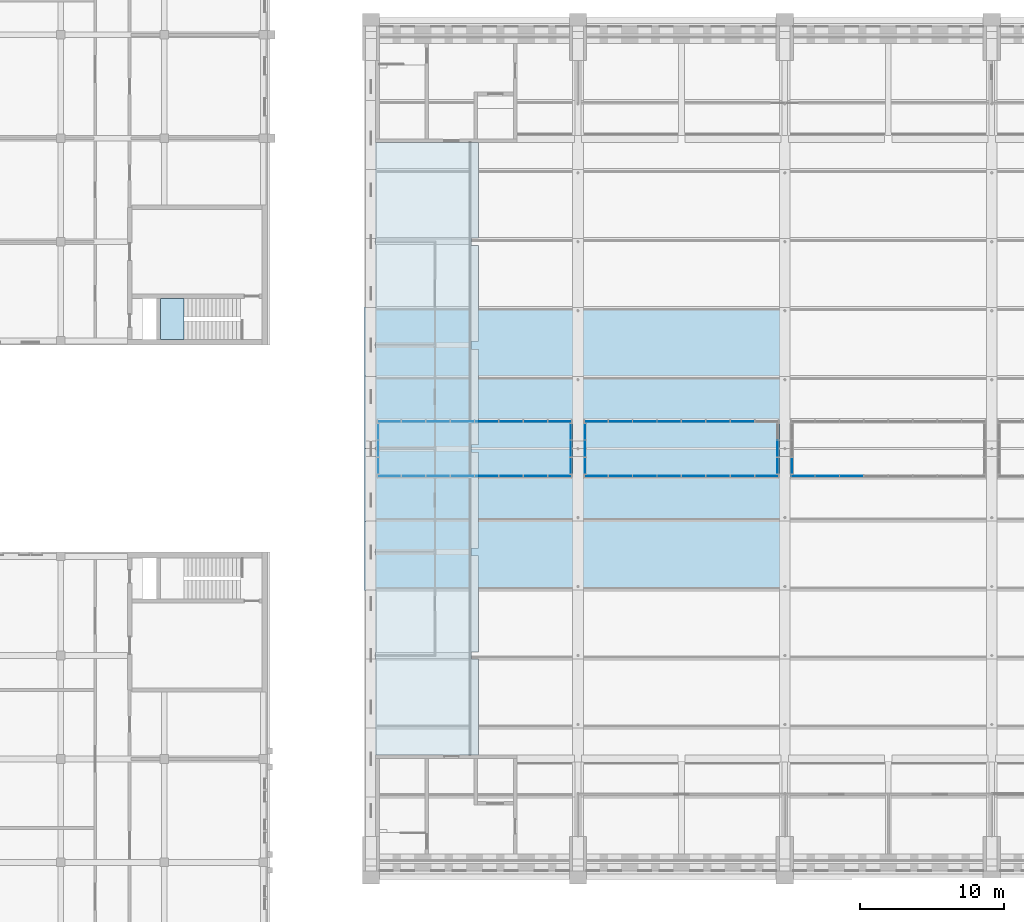
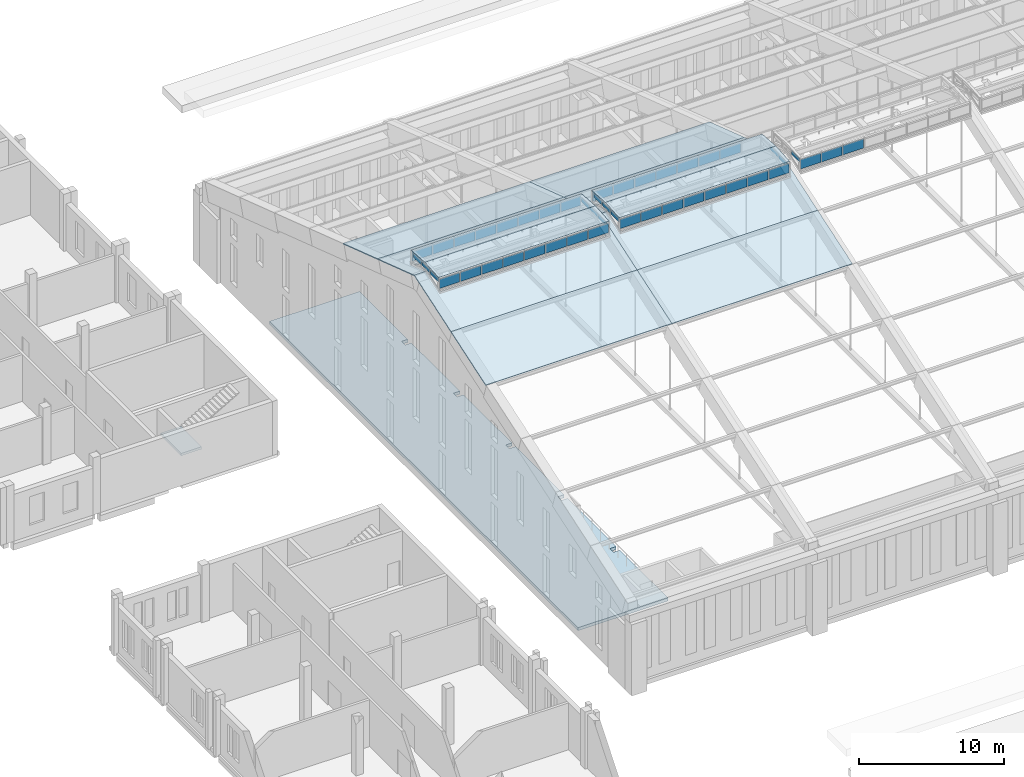
# One storey, part 111 of 149: 50 plates, 10 slabs, 11 elements without a shape of their own.
"""IFC4 building model written with IfcOpenShell, lengths in metres."""

from ifc_helpers import new_model, si_unit, direction, frame, origin, origin_2d, place, context, subcontext, project, spatial, polyline, rectangle, outline, extrude, material, layer, layer_set, type_object, element, aggregate, save


model = new_model("IFC4")

# Units and contexts
model_context = context("Model", 3, precision=1e-05, world=origin(), true_north=direction((0.0, 1.0)))
body_context = subcontext(model_context, "Body", "Model", "MODEL_VIEW")
ifc_project = project(units=[si_unit("LENGTHUNIT", "METRE"), si_unit("AREAUNIT", "SQUARE_METRE"), si_unit("VOLUMEUNIT", "CUBIC_METRE"), si_unit("PLANEANGLEUNIT", "RADIAN"), si_unit("MASSUNIT", "GRAM", prefix="KILO")], contexts=[model_context])

# Site, building, storey
site_placement = place(None, origin())
site = spatial("IfcSite", under=ifc_project, at=site_placement, CompositionType="ELEMENT")
building_placement = place(site_placement, origin())
building = spatial("IfcBuilding", under=site, at=building_placement, Name="Alderwick Market Hall", CompositionType="ELEMENT")
storey_placement = place(building_placement, frame((0.0, 0.0, 9.60009765625)))
storey = spatial("IfcBuildingStorey", under=building, at=storey_placement, Name="L01", CompositionType="ELEMENT", Elevation=9.60009765625)

# Stair, slab
ifc_material_1 = material(Name="Concrete 5000 psi (f'c 35 MPa)", Category="concrete")
stair_type = type_object("IfcStairType", Name="B Exit Stair 1300", PredefinedType="TWO_STRAIGHT_RUN_STAIR", material=ifc_material_1)
stair_placement = place(storey_placement, origin())
stair = element("IfcStair", 1, at=stair_placement, inside=storey, type_object=stair_type, Name="Stair N-2 L01", PredefinedType="TWO_STRAIGHT_RUN_STAIR")
ifc_layer_1 = layer(ifc_material_1, 0.199951171875)
ifc_layer_set_1 = layer_set([ifc_layer_1], Name="Concrete 5000 psi (f'c 35 MPa)")
slab_type_1 = type_object("IfcSlabType", Name="B Stair Landing 200", PredefinedType="LANDING", material=ifc_layer_set_1)
slab_1_placement = place(storey_placement, frame((0.0, 0.0, 2.199951171875)))
slab_1 = element("IfcSlab", 2, at=slab_1_placement, type_object=slab_type_1, Name="B-ST-N-2-L01 landing 1", PredefinedType="LANDING", context=body_context, shape_type="SweptSolid", body=[
    extrude(outline(polyline([(35.75, 86.800048828125), (37.3798828125, 86.800048828125), (37.3798828125, 89.64990234375), (35.75, 89.64990234375), (35.75, 86.800048828125)])), origin(), (0.0, 0.0, 1.0), 0.199951171875),
])
aggregate(stair, [slab_1])

# Slab
ifc_material_2 = material(Name="Concrete 4000 psi (f'c 28 MPa)", Category="concrete")
ifc_layer_2 = layer(ifc_material_2, 0.25)
ifc_layer_set_2 = layer_set([ifc_layer_2], Name="Concrete 4000 psi (f'c 28 MPa)")
slab_type_2 = type_object("IfcSlabType", Name="H Gallery slab 250", PredefinedType="FLOOR", material=ifc_layer_set_2)
slab_2_placement = place(storey_placement, frame((0.0, 0.0, -0.25)))
element("IfcSlab", 3, at=slab_2_placement, inside=storey, type_object=slab_type_2, Name="Gallery floor L01", PredefinedType="FLOOR", context=body_context, shape_type="SweptSolid", body=[
    extrude(outline(polyline([(57.889892578125, 93.85009765625), (57.389892578125, 93.85009765625), (57.389892578125, 93.35009765625), (57.889892578125, 93.35009765625), (57.889892578125, 86.64990234375), (57.389892578125, 86.64990234375), (57.389892578125, 86.14990234375), (57.889892578125, 86.14990234375), (57.889892578125, 79.449951171875), (57.389892578125, 79.449951171875), (57.389892578125, 78.949951171875), (57.889892578125, 78.949951171875), (57.889892578125, 72.25), (57.389892578125, 72.25), (57.389892578125, 71.75), (57.889892578125, 71.75), (57.889892578125, 65.050048828125), (57.389892578125, 65.050048828125), (57.389892578125, 64.550048828125), (57.889892578125, 64.550048828125), (57.889892578125, 57.889892578125), (50.699951171875, 57.889892578125), (50.699951171875, 100.510009765625), (57.889892578125, 100.510009765625), (57.889892578125, 93.85009765625)])), origin(), (0.0, 0.0, 1.0), 0.25),
])

# Curtain wall, plates
ifc_material_3 = material(Name="Aluminium", Category="aluminium")
curtain_wall_type = type_object("IfcCurtainWallType", Name="R Curtain Wall Frame", PredefinedType="NOTDEFINED", material=ifc_material_3)
curtain_wall_1_placement = place(storey_placement, origin())
curtain_wall_1 = element("IfcCurtainWall", 4, at=curtain_wall_1_placement, inside=storey, type_object=curtain_wall_type, Name="Curtain wall LCW S1", PredefinedType="NOTDEFINED")
ifc_material_4 = material(Name="Glass 8+8 mm PVB interlayer", Category="glass")
ifc_layer_3 = layer(ifc_material_4, 0.028076171875)
ifc_layer_set_3 = layer_set([ifc_layer_3], Name="Glass 8+8 mm PVB interlayer")
plate_type_1 = type_object("IfcPlateType", Name="R CW Panel IGU 28", PredefinedType="CURTAIN_PANEL", material=ifc_layer_set_3)
plate_1_placement = place(storey_placement, frame((51.6650390625, 77.300048828125, 16.7900390625), z_axis=(0.0, 0.0, 1.0), x_axis=(1.0, 0.0, 0.0)))
plate_1 = element("IfcPlate", 5, at=plate_1_placement, type_object=plate_type_1, Name="LCW S1 panel 1.1", PredefinedType="CURTAIN_PANEL", context=body_context, shape_type="SweptSolid", body=[
    extrude(rectangle(XDim=1.610107421875, YDim=0.028076171875, at=origin_2d()), origin(), (0.0, 0.0, 1.0), 0.789794921875),
])
plate_2_placement = place(storey_placement, frame((53.35009765625, 77.300048828125, 16.7900390625), z_axis=(0.0, 0.0, 1.0), x_axis=(1.0, 0.0, 0.0)))
plate_2 = element("IfcPlate", 6, at=plate_2_placement, type_object=plate_type_1, Name="LCW S1 panel 2.1", PredefinedType="CURTAIN_PANEL", context=body_context, shape_type="SweptSolid", body=[
    extrude(rectangle(XDim=1.639892578125, YDim=0.028076171875, at=origin_2d()), origin(), (0.0, 0.0, 1.0), 0.789794921875),
])
plate_3_placement = place(storey_placement, frame((55.050048828125, 77.300048828125, 16.7900390625), z_axis=(0.0, 0.0, 1.0), x_axis=(1.0, 0.0, 0.0)))
plate_3 = element("IfcPlate", 7, at=plate_3_placement, type_object=plate_type_1, Name="LCW S1 panel 3.1", PredefinedType="CURTAIN_PANEL", context=body_context, shape_type="SweptSolid", body=[
    extrude(rectangle(XDim=1.639892578125, YDim=0.028076171875, at=origin_2d()), origin(), (0.0, 0.0, 1.0), 0.789794921875),
])
plate_4_placement = place(storey_placement, frame((56.75, 77.300048828125, 16.7900390625), z_axis=(0.0, 0.0, 1.0), x_axis=(1.0, 0.0, 0.0)))
plate_4 = element("IfcPlate", 8, at=plate_4_placement, type_object=plate_type_1, Name="LCW S1 panel 4.1", PredefinedType="CURTAIN_PANEL", context=body_context, shape_type="SweptSolid", body=[
    extrude(rectangle(XDim=1.639892578125, YDim=0.028076171875, at=origin_2d()), origin(), (0.0, 0.0, 1.0), 0.789794921875),
])
plate_5_placement = place(storey_placement, frame((58.449951171875, 77.300048828125, 16.7900390625), z_axis=(0.0, 0.0, 1.0), x_axis=(1.0, 0.0, 0.0)))
plate_5 = element("IfcPlate", 9, at=plate_5_placement, type_object=plate_type_1, Name="LCW S1 panel 5.1", PredefinedType="CURTAIN_PANEL", context=body_context, shape_type="SweptSolid", body=[
    extrude(rectangle(XDim=1.639892578125, YDim=0.028076171875, at=origin_2d()), origin(), (0.0, 0.0, 1.0), 0.789794921875),
])
plate_6_placement = place(storey_placement, frame((60.14990234375, 77.300048828125, 16.7900390625), z_axis=(0.0, 0.0, 1.0), x_axis=(1.0, 0.0, 0.0)))
plate_6 = element("IfcPlate", 10, at=plate_6_placement, type_object=plate_type_1, Name="LCW S1 panel 6.1", PredefinedType="CURTAIN_PANEL", context=body_context, shape_type="SweptSolid", body=[
    extrude(rectangle(XDim=1.639892578125, YDim=0.028076171875, at=origin_2d()), origin(), (0.0, 0.0, 1.0), 0.789794921875),
])
plate_7_placement = place(storey_placement, frame((61.85009765625, 77.300048828125, 16.7900390625), z_axis=(0.0, 0.0, 1.0), x_axis=(1.0, 0.0, 0.0)))
plate_7 = element("IfcPlate", 11, at=plate_7_placement, type_object=plate_type_1, Name="LCW S1 panel 7.1", PredefinedType="CURTAIN_PANEL", context=body_context, shape_type="SweptSolid", body=[
    extrude(rectangle(XDim=1.639892578125, YDim=0.028076171875, at=origin_2d()), origin(), (0.0, 0.0, 1.0), 0.789794921875),
])
plate_8_placement = place(storey_placement, frame((63.534912109375, 77.300048828125, 16.7900390625), z_axis=(0.0, 0.0, 1.0), x_axis=(1.0, 0.0, 0.0)))
plate_8 = element("IfcPlate", 12, at=plate_8_placement, type_object=plate_type_1, Name="LCW S1 panel 8.1", PredefinedType="CURTAIN_PANEL", context=body_context, shape_type="SweptSolid", body=[
    extrude(rectangle(XDim=1.610107421875, YDim=0.028076171875, at=origin_2d()), origin(), (0.0, 0.0, 1.0), 0.789794921875),
])

curtain_wall_2_placement = place(storey_placement, origin())
curtain_wall_2 = element("IfcCurtainWall", 13, at=curtain_wall_2_placement, inside=storey, type_object=curtain_wall_type, Name="Curtain wall LCW N1", PredefinedType="NOTDEFINED")
plate_9_placement = place(storey_placement, frame((51.6650390625, 81.10009765625, 16.7900390625), z_axis=(0.0, 0.0, 1.0), x_axis=(1.0, 0.0, 0.0)))
plate_9 = element("IfcPlate", 14, at=plate_9_placement, type_object=plate_type_1, Name="LCW N1 panel 1.1", PredefinedType="CURTAIN_PANEL", context=body_context, shape_type="SweptSolid", body=[
    extrude(rectangle(XDim=1.610107421875, YDim=0.028076171875, at=origin_2d()), origin(), (0.0, 0.0, 1.0), 0.789794921875),
])
plate_10_placement = place(storey_placement, frame((53.35009765625, 81.10009765625, 16.7900390625), z_axis=(0.0, 0.0, 1.0), x_axis=(1.0, 0.0, 0.0)))
plate_10 = element("IfcPlate", 15, at=plate_10_placement, type_object=plate_type_1, Name="LCW N1 panel 2.1", PredefinedType="CURTAIN_PANEL", context=body_context, shape_type="SweptSolid", body=[
    extrude(rectangle(XDim=1.639892578125, YDim=0.028076171875, at=origin_2d()), origin(), (0.0, 0.0, 1.0), 0.789794921875),
])
plate_11_placement = place(storey_placement, frame((55.050048828125, 81.10009765625, 16.7900390625), z_axis=(0.0, 0.0, 1.0), x_axis=(1.0, 0.0, 0.0)))
plate_11 = element("IfcPlate", 16, at=plate_11_placement, type_object=plate_type_1, Name="LCW N1 panel 3.1", PredefinedType="CURTAIN_PANEL", context=body_context, shape_type="SweptSolid", body=[
    extrude(rectangle(XDim=1.639892578125, YDim=0.028076171875, at=origin_2d()), origin(), (0.0, 0.0, 1.0), 0.789794921875),
])
plate_12_placement = place(storey_placement, frame((56.75, 81.10009765625, 16.7900390625), z_axis=(0.0, 0.0, 1.0), x_axis=(1.0, 0.0, 0.0)))
plate_12 = element("IfcPlate", 17, at=plate_12_placement, type_object=plate_type_1, Name="LCW N1 panel 4.1", PredefinedType="CURTAIN_PANEL", context=body_context, shape_type="SweptSolid", body=[
    extrude(rectangle(XDim=1.639892578125, YDim=0.028076171875, at=origin_2d()), origin(), (0.0, 0.0, 1.0), 0.789794921875),
])
plate_13_placement = place(storey_placement, frame((58.449951171875, 81.10009765625, 16.7900390625), z_axis=(0.0, 0.0, 1.0), x_axis=(1.0, 0.0, 0.0)))
plate_13 = element("IfcPlate", 18, at=plate_13_placement, type_object=plate_type_1, Name="LCW N1 panel 5.1", PredefinedType="CURTAIN_PANEL", context=body_context, shape_type="SweptSolid", body=[
    extrude(rectangle(XDim=1.639892578125, YDim=0.028076171875, at=origin_2d()), origin(), (0.0, 0.0, 1.0), 0.789794921875),
])
plate_14_placement = place(storey_placement, frame((60.14990234375, 81.10009765625, 16.7900390625), z_axis=(0.0, 0.0, 1.0), x_axis=(1.0, 0.0, 0.0)))
plate_14 = element("IfcPlate", 19, at=plate_14_placement, type_object=plate_type_1, Name="LCW N1 panel 6.1", PredefinedType="CURTAIN_PANEL", context=body_context, shape_type="SweptSolid", body=[
    extrude(rectangle(XDim=1.639892578125, YDim=0.028076171875, at=origin_2d()), origin(), (0.0, 0.0, 1.0), 0.789794921875),
])
plate_15_placement = place(storey_placement, frame((61.85009765625, 81.10009765625, 16.7900390625), z_axis=(0.0, 0.0, 1.0), x_axis=(1.0, 0.0, 0.0)))
plate_15 = element("IfcPlate", 20, at=plate_15_placement, type_object=plate_type_1, Name="LCW N1 panel 7.1", PredefinedType="CURTAIN_PANEL", context=body_context, shape_type="SweptSolid", body=[
    extrude(rectangle(XDim=1.639892578125, YDim=0.028076171875, at=origin_2d()), origin(), (0.0, 0.0, 1.0), 0.789794921875),
])
plate_16_placement = place(storey_placement, frame((63.534912109375, 81.10009765625, 16.7900390625), z_axis=(0.0, 0.0, 1.0), x_axis=(1.0, 0.0, 0.0)))
plate_16 = element("IfcPlate", 21, at=plate_16_placement, type_object=plate_type_1, Name="LCW N1 panel 8.1", PredefinedType="CURTAIN_PANEL", context=body_context, shape_type="SweptSolid", body=[
    extrude(rectangle(XDim=1.610107421875, YDim=0.028076171875, at=origin_2d()), origin(), (0.0, 0.0, 1.0), 0.789794921875),
])

curtain_wall_3_placement = place(storey_placement, origin())
curtain_wall_3 = element("IfcCurtainWall", 22, at=curtain_wall_3_placement, inside=storey, type_object=curtain_wall_type, Name="Curtain wall LCW W1", PredefinedType="NOTDEFINED")
plate_17_placement = place(storey_placement, frame((50.89990234375, 78.014892578125, 17.21337890625), z_axis=(0.0, 0.0, 1.0), x_axis=(1.0, 0.0, 0.0)))
plate_17 = element("IfcPlate", 23, at=plate_17_placement, type_object=plate_type_1, Name="LCW W1 panel 1.1", PredefinedType="CURTAIN_PANEL", context=body_context, shape_type="SweptSolid", body=[
    extrude(rectangle(XDim=0.028076171875, YDim=1.110107421875, at=origin_2d()), origin(), (0.0, 0.0, 1.0), 0.366455078125),
])
plate_18_placement = place(storey_placement, frame((50.89990234375, 79.199951171875, 17.2333984375), z_axis=(0.0, 0.0, 1.0), x_axis=(1.0, 0.0, 0.0)))
plate_18 = element("IfcPlate", 24, at=plate_18_placement, type_object=plate_type_1, Name="LCW W1 panel 2.1", PredefinedType="CURTAIN_PANEL", context=body_context, shape_type="SweptSolid", body=[
    extrude(rectangle(XDim=0.028076171875, YDim=1.139892578125, at=origin_2d()), origin(), (0.0, 0.0, 1.0), 0.346435546875),
])
plate_19_placement = place(storey_placement, frame((50.89990234375, 80.385009765625, 17.21337890625), z_axis=(0.0, 0.0, 1.0), x_axis=(1.0, 0.0, 0.0)))
plate_19 = element("IfcPlate", 25, at=plate_19_placement, type_object=plate_type_1, Name="LCW W1 panel 3.1", PredefinedType="CURTAIN_PANEL", context=body_context, shape_type="SweptSolid", body=[
    extrude(rectangle(XDim=0.028076171875, YDim=1.110107421875, at=origin_2d()), origin(), (0.0, 0.0, 1.0), 0.366455078125),
])
aggregate(curtain_wall_3, [plate_17, plate_18, plate_19])

curtain_wall_4_placement = place(storey_placement, origin())
curtain_wall_4 = element("IfcCurtainWall", 26, at=curtain_wall_4_placement, inside=storey, type_object=curtain_wall_type, Name="Curtain wall LCW E1", PredefinedType="NOTDEFINED")
plate_20_placement = place(storey_placement, frame((64.300048828125, 78.014892578125, 17.21337890625), z_axis=(0.0, 0.0, 1.0), x_axis=(1.0, 0.0, 0.0)))
plate_20 = element("IfcPlate", 27, at=plate_20_placement, type_object=plate_type_1, Name="LCW E1 panel 1.1", PredefinedType="CURTAIN_PANEL", context=body_context, shape_type="SweptSolid", body=[
    extrude(rectangle(XDim=0.028076171875, YDim=1.110107421875, at=origin_2d()), origin(), (0.0, 0.0, 1.0), 0.366455078125),
])
plate_21_placement = place(storey_placement, frame((64.300048828125, 79.199951171875, 17.2333984375), z_axis=(0.0, 0.0, 1.0), x_axis=(1.0, 0.0, 0.0)))
plate_21 = element("IfcPlate", 28, at=plate_21_placement, type_object=plate_type_1, Name="LCW E1 panel 2.1", PredefinedType="CURTAIN_PANEL", context=body_context, shape_type="SweptSolid", body=[
    extrude(rectangle(XDim=0.028076171875, YDim=1.139892578125, at=origin_2d()), origin(), (0.0, 0.0, 1.0), 0.346435546875),
])
plate_22_placement = place(storey_placement, frame((64.300048828125, 80.385009765625, 17.21337890625), z_axis=(0.0, 0.0, 1.0), x_axis=(1.0, 0.0, 0.0)))
plate_22 = element("IfcPlate", 29, at=plate_22_placement, type_object=plate_type_1, Name="LCW E1 panel 3.1", PredefinedType="CURTAIN_PANEL", context=body_context, shape_type="SweptSolid", body=[
    extrude(rectangle(XDim=0.028076171875, YDim=1.110107421875, at=origin_2d()), origin(), (0.0, 0.0, 1.0), 0.366455078125),
])
aggregate(curtain_wall_4, [plate_20, plate_21, plate_22])

curtain_wall_5_placement = place(storey_placement, origin())
curtain_wall_5 = element("IfcCurtainWall", 30, at=curtain_wall_5_placement, inside=storey, type_object=curtain_wall_type, Name="Curtain wall LCW S2", PredefinedType="NOTDEFINED")
plate_23_placement = place(storey_placement, frame((66.06494140625, 77.300048828125, 16.7900390625), z_axis=(0.0, 0.0, 1.0), x_axis=(1.0, 0.0, 0.0)))
plate_23 = element("IfcPlate", 31, at=plate_23_placement, type_object=plate_type_1, Name="LCW S2 panel 1.1", PredefinedType="CURTAIN_PANEL", context=body_context, shape_type="SweptSolid", body=[
    extrude(rectangle(XDim=1.610107421875, YDim=0.028076171875, at=origin_2d()), origin(), (0.0, 0.0, 1.0), 0.789794921875),
])
plate_24_placement = place(storey_placement, frame((67.75, 77.300048828125, 16.7900390625), z_axis=(0.0, 0.0, 1.0), x_axis=(1.0, 0.0, 0.0)))
plate_24 = element("IfcPlate", 32, at=plate_24_placement, type_object=plate_type_1, Name="LCW S2 panel 2.1", PredefinedType="CURTAIN_PANEL", context=body_context, shape_type="SweptSolid", body=[
    extrude(rectangle(XDim=1.639892578125, YDim=0.028076171875, at=origin_2d()), origin(), (0.0, 0.0, 1.0), 0.789794921875),
])
plate_25_placement = place(storey_placement, frame((69.449951171875, 77.300048828125, 16.7900390625), z_axis=(0.0, 0.0, 1.0), x_axis=(1.0, 0.0, 0.0)))
plate_25 = element("IfcPlate", 33, at=plate_25_placement, type_object=plate_type_1, Name="LCW S2 panel 3.1", PredefinedType="CURTAIN_PANEL", context=body_context, shape_type="SweptSolid", body=[
    extrude(rectangle(XDim=1.639892578125, YDim=0.028076171875, at=origin_2d()), origin(), (0.0, 0.0, 1.0), 0.789794921875),
])
plate_26_placement = place(storey_placement, frame((71.14990234375, 77.300048828125, 16.7900390625), z_axis=(0.0, 0.0, 1.0), x_axis=(1.0, 0.0, 0.0)))
plate_26 = element("IfcPlate", 34, at=plate_26_placement, type_object=plate_type_1, Name="LCW S2 panel 4.1", PredefinedType="CURTAIN_PANEL", context=body_context, shape_type="SweptSolid", body=[
    extrude(rectangle(XDim=1.639892578125, YDim=0.028076171875, at=origin_2d()), origin(), (0.0, 0.0, 1.0), 0.789794921875),
])
plate_27_placement = place(storey_placement, frame((72.85009765625, 77.300048828125, 16.7900390625), z_axis=(0.0, 0.0, 1.0), x_axis=(1.0, 0.0, 0.0)))
plate_27 = element("IfcPlate", 35, at=plate_27_placement, type_object=plate_type_1, Name="LCW S2 panel 5.1", PredefinedType="CURTAIN_PANEL", context=body_context, shape_type="SweptSolid", body=[
    extrude(rectangle(XDim=1.639892578125, YDim=0.028076171875, at=origin_2d()), origin(), (0.0, 0.0, 1.0), 0.789794921875),
])
plate_28_placement = place(storey_placement, frame((74.550048828125, 77.300048828125, 16.7900390625), z_axis=(0.0, 0.0, 1.0), x_axis=(1.0, 0.0, 0.0)))
plate_28 = element("IfcPlate", 36, at=plate_28_placement, type_object=plate_type_1, Name="LCW S2 panel 6.1", PredefinedType="CURTAIN_PANEL", context=body_context, shape_type="SweptSolid", body=[
    extrude(rectangle(XDim=1.639892578125, YDim=0.028076171875, at=origin_2d()), origin(), (0.0, 0.0, 1.0), 0.789794921875),
])
plate_29_placement = place(storey_placement, frame((76.25, 77.300048828125, 16.7900390625), z_axis=(0.0, 0.0, 1.0), x_axis=(1.0, 0.0, 0.0)))
plate_29 = element("IfcPlate", 37, at=plate_29_placement, type_object=plate_type_1, Name="LCW S2 panel 7.1", PredefinedType="CURTAIN_PANEL", context=body_context, shape_type="SweptSolid", body=[
    extrude(rectangle(XDim=1.639892578125, YDim=0.028076171875, at=origin_2d()), origin(), (0.0, 0.0, 1.0), 0.789794921875),
])
plate_30_placement = place(storey_placement, frame((77.93505859375, 77.300048828125, 16.7900390625), z_axis=(0.0, 0.0, 1.0), x_axis=(1.0, 0.0, 0.0)))
plate_30 = element("IfcPlate", 38, at=plate_30_placement, type_object=plate_type_1, Name="LCW S2 panel 8.1", PredefinedType="CURTAIN_PANEL", context=body_context, shape_type="SweptSolid", body=[
    extrude(rectangle(XDim=1.610107421875, YDim=0.028076171875, at=origin_2d()), origin(), (0.0, 0.0, 1.0), 0.789794921875),
])

curtain_wall_6_placement = place(storey_placement, origin())
curtain_wall_6 = element("IfcCurtainWall", 39, at=curtain_wall_6_placement, inside=storey, type_object=curtain_wall_type, Name="Curtain wall LCW N2", PredefinedType="NOTDEFINED")
plate_31_placement = place(storey_placement, frame((66.06494140625, 81.10009765625, 16.7900390625), z_axis=(0.0, 0.0, 1.0), x_axis=(1.0, 0.0, 0.0)))
plate_31 = element("IfcPlate", 40, at=plate_31_placement, type_object=plate_type_1, Name="LCW N2 panel 1.1", PredefinedType="CURTAIN_PANEL", context=body_context, shape_type="SweptSolid", body=[
    extrude(rectangle(XDim=1.610107421875, YDim=0.028076171875, at=origin_2d()), origin(), (0.0, 0.0, 1.0), 0.789794921875),
])
plate_32_placement = place(storey_placement, frame((67.75, 81.10009765625, 16.7900390625), z_axis=(0.0, 0.0, 1.0), x_axis=(1.0, 0.0, 0.0)))
plate_32 = element("IfcPlate", 41, at=plate_32_placement, type_object=plate_type_1, Name="LCW N2 panel 2.1", PredefinedType="CURTAIN_PANEL", context=body_context, shape_type="SweptSolid", body=[
    extrude(rectangle(XDim=1.639892578125, YDim=0.028076171875, at=origin_2d()), origin(), (0.0, 0.0, 1.0), 0.789794921875),
])
plate_33_placement = place(storey_placement, frame((69.449951171875, 81.10009765625, 16.7900390625), z_axis=(0.0, 0.0, 1.0), x_axis=(1.0, 0.0, 0.0)))
plate_33 = element("IfcPlate", 42, at=plate_33_placement, type_object=plate_type_1, Name="LCW N2 panel 3.1", PredefinedType="CURTAIN_PANEL", context=body_context, shape_type="SweptSolid", body=[
    extrude(rectangle(XDim=1.639892578125, YDim=0.028076171875, at=origin_2d()), origin(), (0.0, 0.0, 1.0), 0.789794921875),
])
plate_34_placement = place(storey_placement, frame((71.14990234375, 81.10009765625, 16.7900390625), z_axis=(0.0, 0.0, 1.0), x_axis=(1.0, 0.0, 0.0)))
plate_34 = element("IfcPlate", 43, at=plate_34_placement, type_object=plate_type_1, Name="LCW N2 panel 4.1", PredefinedType="CURTAIN_PANEL", context=body_context, shape_type="SweptSolid", body=[
    extrude(rectangle(XDim=1.639892578125, YDim=0.028076171875, at=origin_2d()), origin(), (0.0, 0.0, 1.0), 0.789794921875),
])
plate_35_placement = place(storey_placement, frame((72.85009765625, 81.10009765625, 16.7900390625), z_axis=(0.0, 0.0, 1.0), x_axis=(1.0, 0.0, 0.0)))
plate_35 = element("IfcPlate", 44, at=plate_35_placement, type_object=plate_type_1, Name="LCW N2 panel 5.1", PredefinedType="CURTAIN_PANEL", context=body_context, shape_type="SweptSolid", body=[
    extrude(rectangle(XDim=1.639892578125, YDim=0.028076171875, at=origin_2d()), origin(), (0.0, 0.0, 1.0), 0.789794921875),
])
plate_36_placement = place(storey_placement, frame((74.550048828125, 81.10009765625, 16.7900390625), z_axis=(0.0, 0.0, 1.0), x_axis=(1.0, 0.0, 0.0)))
plate_36 = element("IfcPlate", 45, at=plate_36_placement, type_object=plate_type_1, Name="LCW N2 panel 6.1", PredefinedType="CURTAIN_PANEL", context=body_context, shape_type="SweptSolid", body=[
    extrude(rectangle(XDim=1.639892578125, YDim=0.028076171875, at=origin_2d()), origin(), (0.0, 0.0, 1.0), 0.789794921875),
])
plate_37_placement = place(storey_placement, frame((76.25, 81.10009765625, 16.7900390625), z_axis=(0.0, 0.0, 1.0), x_axis=(1.0, 0.0, 0.0)))
plate_37 = element("IfcPlate", 46, at=plate_37_placement, type_object=plate_type_1, Name="LCW N2 panel 7.1", PredefinedType="CURTAIN_PANEL", context=body_context, shape_type="SweptSolid", body=[
    extrude(rectangle(XDim=1.639892578125, YDim=0.028076171875, at=origin_2d()), origin(), (0.0, 0.0, 1.0), 0.789794921875),
])

curtain_wall_7_placement = place(storey_placement, origin())
curtain_wall_7 = element("IfcCurtainWall", 47, at=curtain_wall_7_placement, inside=storey, type_object=curtain_wall_type, Name="Curtain wall LCW W2", PredefinedType="NOTDEFINED")
plate_38_placement = place(storey_placement, frame((65.300048828125, 78.014892578125, 17.21337890625), z_axis=(0.0, 0.0, 1.0), x_axis=(1.0, 0.0, 0.0)))
plate_38 = element("IfcPlate", 48, at=plate_38_placement, type_object=plate_type_1, Name="LCW W2 panel 1.1", PredefinedType="CURTAIN_PANEL", context=body_context, shape_type="SweptSolid", body=[
    extrude(rectangle(XDim=0.028076171875, YDim=1.110107421875, at=origin_2d()), origin(), (0.0, 0.0, 1.0), 0.366455078125),
])
plate_39_placement = place(storey_placement, frame((65.300048828125, 79.199951171875, 17.2333984375), z_axis=(0.0, 0.0, 1.0), x_axis=(1.0, 0.0, 0.0)))
plate_39 = element("IfcPlate", 49, at=plate_39_placement, type_object=plate_type_1, Name="LCW W2 panel 2.1", PredefinedType="CURTAIN_PANEL", context=body_context, shape_type="SweptSolid", body=[
    extrude(rectangle(XDim=0.028076171875, YDim=1.139892578125, at=origin_2d()), origin(), (0.0, 0.0, 1.0), 0.346435546875),
])
plate_40_placement = place(storey_placement, frame((65.300048828125, 80.385009765625, 17.21337890625), z_axis=(0.0, 0.0, 1.0), x_axis=(1.0, 0.0, 0.0)))
plate_40 = element("IfcPlate", 50, at=plate_40_placement, type_object=plate_type_1, Name="LCW W2 panel 3.1", PredefinedType="CURTAIN_PANEL", context=body_context, shape_type="SweptSolid", body=[
    extrude(rectangle(XDim=0.028076171875, YDim=1.110107421875, at=origin_2d()), origin(), (0.0, 0.0, 1.0), 0.366455078125),
])
aggregate(curtain_wall_7, [plate_38, plate_39, plate_40])

curtain_wall_8_placement = place(storey_placement, origin())
curtain_wall_8 = element("IfcCurtainWall", 51, at=curtain_wall_8_placement, inside=storey, type_object=curtain_wall_type, Name="Curtain wall LCW E2", PredefinedType="NOTDEFINED")
plate_41_placement = place(storey_placement, frame((78.699951171875, 78.014892578125, 17.21337890625), z_axis=(0.0, 0.0, 1.0), x_axis=(1.0, 0.0, 0.0)))
plate_41 = element("IfcPlate", 52, at=plate_41_placement, type_object=plate_type_1, Name="LCW E2 panel 1.1", PredefinedType="CURTAIN_PANEL", context=body_context, shape_type="SweptSolid", body=[
    extrude(rectangle(XDim=0.028076171875, YDim=1.110107421875, at=origin_2d()), origin(), (0.0, 0.0, 1.0), 0.366455078125),
])
plate_42_placement = place(storey_placement, frame((78.699951171875, 79.199951171875, 17.2333984375), z_axis=(0.0, 0.0, 1.0), x_axis=(1.0, 0.0, 0.0)))
plate_42 = element("IfcPlate", 53, at=plate_42_placement, type_object=plate_type_1, Name="LCW E2 panel 2.1", PredefinedType="CURTAIN_PANEL", context=body_context, shape_type="SweptSolid", body=[
    extrude(rectangle(XDim=0.028076171875, YDim=1.139892578125, at=origin_2d()), origin(), (0.0, 0.0, 1.0), 0.346435546875),
])
aggregate(curtain_wall_8, [plate_41, plate_42])

curtain_wall_9_placement = place(storey_placement, origin())
curtain_wall_9 = element("IfcCurtainWall", 54, at=curtain_wall_9_placement, inside=storey, type_object=curtain_wall_type, Name="Curtain wall LCW S3", PredefinedType="NOTDEFINED")
plate_43_placement = place(storey_placement, frame((80.465087890625, 77.300048828125, 16.7900390625), z_axis=(0.0, 0.0, 1.0), x_axis=(1.0, 0.0, 0.0)))
plate_43 = element("IfcPlate", 55, at=plate_43_placement, type_object=plate_type_1, Name="LCW S3 panel 1.1", PredefinedType="CURTAIN_PANEL", context=body_context, shape_type="SweptSolid", body=[
    extrude(rectangle(XDim=1.610107421875, YDim=0.028076171875, at=origin_2d()), origin(), (0.0, 0.0, 1.0), 0.789794921875),
])
plate_44_placement = place(storey_placement, frame((82.14990234375, 77.300048828125, 16.7900390625), z_axis=(0.0, 0.0, 1.0), x_axis=(1.0, 0.0, 0.0)))
plate_44 = element("IfcPlate", 56, at=plate_44_placement, type_object=plate_type_1, Name="LCW S3 panel 2.1", PredefinedType="CURTAIN_PANEL", context=body_context, shape_type="SweptSolid", body=[
    extrude(rectangle(XDim=1.639892578125, YDim=0.028076171875, at=origin_2d()), origin(), (0.0, 0.0, 1.0), 0.789794921875),
])
plate_45_placement = place(storey_placement, frame((83.85009765625, 77.300048828125, 16.7900390625), z_axis=(0.0, 0.0, 1.0), x_axis=(1.0, 0.0, 0.0)))
plate_45 = element("IfcPlate", 57, at=plate_45_placement, type_object=plate_type_1, Name="LCW S3 panel 3.1", PredefinedType="CURTAIN_PANEL", context=body_context, shape_type="SweptSolid", body=[
    extrude(rectangle(XDim=1.639892578125, YDim=0.028076171875, at=origin_2d()), origin(), (0.0, 0.0, 1.0), 0.789794921875),
])
aggregate(curtain_wall_9, [plate_43, plate_44, plate_45])

# Curtain wall, plate
curtain_wall_10_placement = place(storey_placement, origin())
curtain_wall_10 = element("IfcCurtainWall", 58, at=curtain_wall_10_placement, inside=storey, type_object=curtain_wall_type, Name="Curtain wall LCW W3", PredefinedType="NOTDEFINED")
plate_46_placement = place(storey_placement, frame((79.699951171875, 78.014892578125, 17.21337890625), z_axis=(0.0, 0.0, 1.0), x_axis=(1.0, 0.0, 0.0)))
plate_46 = element("IfcPlate", 59, at=plate_46_placement, type_object=plate_type_1, Name="LCW W3 panel 1.1", PredefinedType="CURTAIN_PANEL", context=body_context, shape_type="SweptSolid", body=[
    extrude(rectangle(XDim=0.028076171875, YDim=1.110107421875, at=origin_2d()), origin(), (0.0, 0.0, 1.0), 0.366455078125),
])
aggregate(curtain_wall_10, [plate_46])

# Plate
ifc_layer_4 = layer(ifc_material_4, 0.030029296875)
ifc_layer_set_4 = layer_set([ifc_layer_4], Name="Glass 8+8 mm PVB interlayer")
plate_type_2 = type_object("IfcPlateType", Name="R Lantern Glazing 30 mm", PredefinedType="CURTAIN_PANEL", material=ifc_layer_set_4)
plate_47_placement = place(storey_placement, frame((50.800048828125, 77.2978515625, 17.729736328125), z_axis=(0.0, -0.073560127213, 0.997290783916), x_axis=(1.0, 0.0, 0.0)))
plate_47 = element("IfcPlate", 60, at=plate_47_placement, type_object=plate_type_2, Name="Lantern glazed roof S1", PredefinedType="CURTAIN_PANEL", context=body_context, shape_type="SweptSolid", body=[
    extrude(outline(polyline([(0.0, 0.0), (13.599853515625, 0.0), (13.599853515625, 1.905063572621334), (0.0, 1.905063572621334), (0.0, 0.0)])), origin(), (0.0, 0.0, -1.0), 0.030029296875),
])

aggregate(curtain_wall_1, [plate_1, plate_2, plate_3, plate_4, plate_5, plate_6, plate_7, plate_8, plate_47])

plate_48_placement = place(storey_placement, frame((50.800048828125, 81.102294921875, 17.729736328125), z_axis=(0.0, 0.07355072696, 0.997291477234), x_axis=(1.0, 0.0, 0.0)))
plate_48 = element("IfcPlate", 61, at=plate_48_placement, type_object=plate_type_2, Name="Lantern glazed roof N1", PredefinedType="CURTAIN_PANEL", context=body_context, shape_type="SweptSolid", body=[
    extrude(outline(polyline([(0.0, 0.0), (13.599853515625, 0.0), (13.599853515625, -1.905307051901265), (0.0, -1.905307051901265), (0.0, 0.0)])), origin(), (0.0, 0.0, -1.0), 0.030029296875),
])

aggregate(curtain_wall_2, [plate_9, plate_10, plate_11, plate_12, plate_13, plate_14, plate_15, plate_16, plate_48])

plate_49_placement = place(storey_placement, frame((65.199951171875, 77.2978515625, 17.729736328125), z_axis=(0.0, -0.073560127213, 0.997290783916), x_axis=(1.0, 0.0, 0.0)))
plate_49 = element("IfcPlate", 62, at=plate_49_placement, type_object=plate_type_2, Name="Lantern glazed roof S2", PredefinedType="CURTAIN_PANEL", context=body_context, shape_type="SweptSolid", body=[
    extrude(outline(polyline([(0.0, 0.0), (13.60009765625, 0.0), (13.60009765625, 1.905063572621334), (0.0, 1.905063572621334), (0.0, 0.0)])), origin(), (0.0, 0.0, -1.0), 0.030029296875),
])

aggregate(curtain_wall_5, [plate_23, plate_24, plate_25, plate_26, plate_27, plate_28, plate_29, plate_30, plate_49])

plate_50_placement = place(storey_placement, frame((65.199951171875, 81.102294921875, 17.729736328125), z_axis=(0.0, 0.07355072696, 0.997291477234), x_axis=(1.0, 0.0, 0.0)))
plate_50 = element("IfcPlate", 63, at=plate_50_placement, type_object=plate_type_2, Name="Lantern glazed roof N2", PredefinedType="CURTAIN_PANEL", context=body_context, shape_type="SweptSolid", body=[
    extrude(outline(polyline([(0.0, 0.0), (13.60009765625, 0.0), (13.60009765625, -1.905307051901265), (0.0, -1.905307051901265), (0.0, 0.0)])), origin(), (0.0, 0.0, -1.0), 0.030029296875),
])

aggregate(curtain_wall_6, [plate_31, plate_32, plate_33, plate_34, plate_35, plate_36, plate_37, plate_50])

# Slabs
ifc_material_5 = material(Name="Steel ASTM A653 Grade 50 roof deck", Category="steel")
ifc_layer_5 = layer(ifc_material_5, 0.080078125)
ifc_layer_set_5 = layer_set([ifc_layer_5], Name="Steel ASTM A653 Grade 50 roof deck")
slab_type_3 = type_object("IfcSlabType", Name="R Roof Deck 80 mm", PredefinedType="ROOF", material=ifc_layer_set_5)
slab_3_placement = place(storey_placement, frame((49.949951171875, 69.337646484375, 13.787353515625), z_axis=(0.0, -0.316213289559, 0.948688123414), x_axis=(1.0, 0.0, 0.0)))
element("IfcSlab", 64, at=slab_3_placement, inside=storey, type_object=slab_type_3, Name="Roof deck 1.5", PredefinedType="ROOF", context=body_context, shape_type="SweptSolid", body=[
    extrude(outline(polyline([(0.0, 0.0), (14.85009765625, 0.0), (14.85009765625, 5.059412644725142), (0.0, 5.059412644725142), (0.0, 0.0)])), origin(), (0.0, 0.0, -1.0), 0.080078125),
])
slab_4_placement = place(storey_placement, frame((49.949951171875, 74.137451171875, 15.38720703125), z_axis=(0.0, -0.316227766017, 0.948683298051), x_axis=(1.0, 0.0, 0.0)))
element("IfcSlab", 65, at=slab_4_placement, inside=storey, type_object=slab_type_3, Name="Roof deck 1.6", PredefinedType="ROOF", context=body_context, shape_type="SweptSolid", body=[
    extrude(outline(polyline([(0.0, 0.0), (14.85009765625, 0.0), (14.85009765625, 5.336343551534141), (14.25, 5.336343551534141), (14.25, 3.4124187641465427), (1.050048828125, 3.4124187641465427), (1.050048828125, 5.336343551534141), (0.0, 5.336343551534141), (0.0, 0.0)])), origin(), (0.0, 0.0, -1.0), 0.080078125),
])
slab_5_placement = place(storey_placement, frame((49.949951171875, 79.199951171875, 17.07470703125), z_axis=(0.0, 0.316245720593, 0.948677313003), x_axis=(1.0, 0.0, 0.0)))
element("IfcSlab", 66, at=slab_5_placement, inside=storey, type_object=slab_type_3, Name="Roof deck 1.7", PredefinedType="ROOF", context=body_context, shape_type="SweptSolid", body=[
    extrude(outline(polyline([(0.0, 0.0), (1.050048828125, 0.0), (1.050048828125, 1.9241563977151548), (14.25, 1.9241563977151548), (14.25, 0.0), (14.85009765625, 0.0), (14.85009765625, 5.336343550578434), (0.0, 5.336343550578434), (0.0, 0.0)])), origin(), (0.0, 0.0, -1.0), 0.080078125),
])
slab_6_placement = place(storey_placement, frame((49.949951171875, 84.262451171875, 15.38720703125), z_axis=(0.0, 0.316198814353, 0.948692948114), x_axis=(1.0, 0.0, 0.0)))
element("IfcSlab", 67, at=slab_6_placement, inside=storey, type_object=slab_type_3, Name="Roof deck 1.8", PredefinedType="ROOF", context=body_context, shape_type="SweptSolid", body=[
    extrude(outline(polyline([(0.0, 0.0), (14.85009765625, 0.0), (14.85009765625, 5.059644258625488), (0.0, 5.059644258625488), (0.0, 0.0)])), origin(), (0.0, 0.0, -1.0), 0.080078125),
])
slab_7_placement = place(storey_placement, frame((64.800048828125, 69.337646484375, 13.787353515625), z_axis=(0.0, -0.316213289559, 0.948688123414), x_axis=(1.0, 0.0, 0.0)))
element("IfcSlab", 68, at=slab_7_placement, inside=storey, type_object=slab_type_3, Name="Roof deck 2.5", PredefinedType="ROOF", context=body_context, shape_type="SweptSolid", body=[
    extrude(outline(polyline([(0.0, 0.0), (14.39990234375, 0.0), (14.39990234375, 5.059412644725141), (0.0, 5.059412644725141), (0.0, 0.0)])), origin(), (0.0, 0.0, -1.0), 0.080078125),
])
slab_8_placement = place(storey_placement, frame((64.800048828125, 74.137451171875, 15.38720703125), z_axis=(0.0, -0.316227766017, 0.948683298051), x_axis=(1.0, 0.0, 0.0)))
element("IfcSlab", 69, at=slab_8_placement, inside=storey, type_object=slab_type_3, Name="Roof deck 2.6", PredefinedType="ROOF", context=body_context, shape_type="SweptSolid", body=[
    extrude(outline(polyline([(0.0, 0.0), (14.39990234375, 0.0), (14.39990234375, 5.336343551534141), (13.800048828125, 5.336343551534141), (13.800048828125, 3.4124187641465427), (0.599853515625, 3.4124187641465427), (0.599853515625, 5.336343551534141), (0.0, 5.336343551534141), (0.0, 0.0)])), origin(), (0.0, 0.0, -1.0), 0.080078125),
])
slab_9_placement = place(storey_placement, frame((64.800048828125, 79.199951171875, 17.07470703125), z_axis=(0.0, 0.316246559574, 0.948677033325), x_axis=(1.0, 0.0, 0.0)))
element("IfcSlab", 70, at=slab_9_placement, inside=storey, type_object=slab_type_3, Name="Roof deck 2.7", PredefinedType="ROOF", context=body_context, shape_type="SweptSolid", body=[
    extrude(outline(polyline([(0.0, 0.0), (0.599853515625, 0.0), (0.599853515625, 1.92415639761392), (13.800048828125, 1.92415639761392), (13.800048828125, 0.0), (14.39990234375, 0.0), (14.39990234375, 5.33634355048703), (0.0, 5.33634355048703), (0.0, 0.0)])), origin(), (0.0, 0.0, -1.0), 0.080078125),
])
slab_10_placement = place(storey_placement, frame((64.800048828125, 84.262451171875, 15.38720703125), z_axis=(0.0, 0.316198814353, 0.948692948114), x_axis=(1.0, 0.0, 0.0)))
element("IfcSlab", 71, at=slab_10_placement, inside=storey, type_object=slab_type_3, Name="Roof deck 2.8", PredefinedType="ROOF", context=body_context, shape_type="SweptSolid", body=[
    extrude(outline(polyline([(0.0, 0.0), (14.39990234375, 0.0), (14.39990234375, 5.059644258625488), (0.0, 5.059644258625488), (0.0, 0.0)])), origin(), (0.0, 0.0, -1.0), 0.080078125),
])

save(model, "model.ifc")
